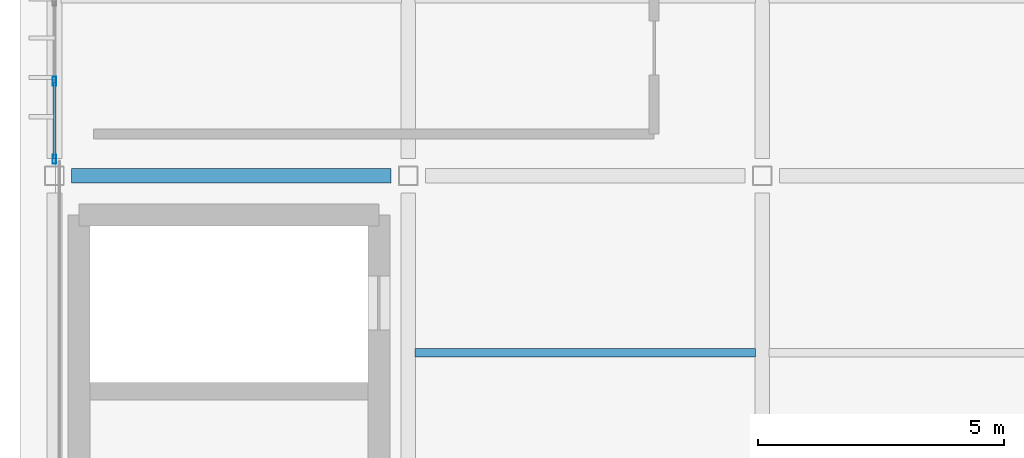
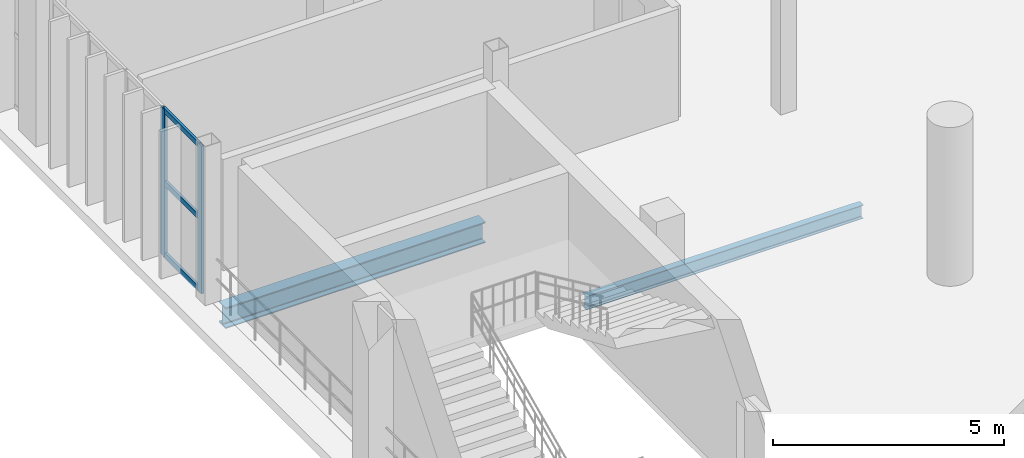
# One storey, part 52 of 130: 5 members, 2 beams, 1 element without a shape of its own.
"""IFC4 building model written with IfcOpenShell, lengths in metres."""

from ifc_helpers import new_model, si_unit, direction, frame, origin, origin_2d, place, context, subcontext, project, spatial, hollow_rectangle, i_section, extrude, material, material_profile, profile_set, type_object, element, aggregate, save


model = new_model("IFC4")

# Units and contexts
model_context = context("Model", 3, precision=1e-05, world=origin(), true_north=direction((0.0, 1.0)))
body_context = subcontext(model_context, "Body", "Model", "MODEL_VIEW")
ifc_project = project(units=[si_unit("LENGTHUNIT", "METRE"), si_unit("AREAUNIT", "SQUARE_METRE"), si_unit("VOLUMEUNIT", "CUBIC_METRE"), si_unit("PLANEANGLEUNIT", "RADIAN"), si_unit("MASSUNIT", "GRAM", prefix="KILO")], contexts=[model_context])

# Site, building, storey
site_placement = place(None, origin())
site = spatial("IfcSite", under=ifc_project, at=site_placement, CompositionType="ELEMENT")
building_placement = place(site_placement, origin())
building = spatial("IfcBuilding", under=site, at=building_placement, Name="Qandorah Velis Arena", CompositionType="ELEMENT")
storey_placement = place(building_placement, frame((0.0, 0.0, 9.60009765625)))
storey = spatial("IfcBuildingStorey", under=building, at=storey_placement, Name="L02", CompositionType="ELEMENT", Elevation=9.60009765625)

# Curtain wall, members
ifc_material_1 = material(Name="Solar-control low-E double glazing", Category="glass")
curtain_wall_type = type_object("IfcCurtainWallType", Name="ARC-CW-SYS18", PredefinedType="USERDEFINED", material=ifc_material_1)
curtain_wall_placement = place(storey_placement, origin())
curtain_wall = element("IfcCurtainWall", 1, at=curtain_wall_placement, inside=storey, type_object=curtain_wall_type, Name="Unitised curtain wall L02-018", ObjectType="UNITISED CURTAIN WALL", PredefinedType="USERDEFINED")
ifc_material_2 = material(Name="Champagne-bronze anodized aluminium 6063-T6", Category="aluminium")
ifc_material_profile_1 = material_profile(ifc_material_2, hollow_rectangle(XDim=0.06494140625, YDim=0.179931640625, WallThickness=0.00341796875, at=origin_2d()), Name="ALU MULLION 65x180")
ifc_profile_set_1 = profile_set([ifc_material_profile_1], Name="Champagne-bronze anodized aluminium 6063-T6")
member_type_1 = type_object("IfcMemberType", Name="ARC-CWM-180", PredefinedType="MULLION", material=ifc_profile_set_1)
member_1_placement = place(storey_placement, frame((0.0, 93.9326171875, -0.01513671875), z_axis=(0.0, 0.0, 1.0), x_axis=(-1.0, 0.0, 0.0)))
member_1 = element("IfcMember", 2, at=member_1_placement, type_object=member_type_1, Name="CW18 mullion 1", PredefinedType="MULLION", context=body_context, shape_type="SweptSolid", body=[
    extrude(hollow_rectangle(XDim=0.06494140625, YDim=0.179931640625, WallThickness=0.00341796875, at=origin_2d()), origin(), (0.0, 0.0, 1.0), 3.91015625),
])
member_2_placement = place(storey_placement, frame((0.0, 95.52490234375, -0.01513671875), z_axis=(0.0, 0.0, 1.0), x_axis=(-1.0, 0.0, 0.0)))
member_2 = element("IfcMember", 3, at=member_2_placement, type_object=member_type_1, Name="CW18 mullion 2", PredefinedType="MULLION", context=body_context, shape_type="SweptSolid", body=[
    extrude(hollow_rectangle(XDim=0.06494140625, YDim=0.179931640625, WallThickness=0.00341796875, at=origin_2d()), origin(), (0.0, 0.0, 1.0), 3.91015625),
])
ifc_material_profile_2 = material_profile(ifc_material_2, hollow_rectangle(XDim=0.06494140625, YDim=0.139892578125, WallThickness=0.0029296875, at=origin_2d()), Name="ALU TRANSOM 65x140")
ifc_profile_set_2 = profile_set([ifc_material_profile_2], Name="Champagne-bronze anodized aluminium 6063-T6")
member_type_2 = type_object("IfcMemberType", Name="ARC-CWT-140", PredefinedType="USERDEFINED", material=ifc_profile_set_2)
member_3_placement = place(storey_placement, frame((0.0, 93.952880859375, 0.032470703125), z_axis=(0.0, 1.0, 0.0), x_axis=(-1.0, 0.0, 0.0)))
member_3 = element("IfcMember", 4, at=member_3_placement, type_object=member_type_2, Name="CW18 transom 1.1", ObjectType="TRANSOM", PredefinedType="USERDEFINED", context=body_context, shape_type="SweptSolid", body=[
    extrude(hollow_rectangle(XDim=0.06494140625, YDim=0.139892578125, WallThickness=0.0029296875, at=origin_2d()), origin(), (0.0, 0.0, 1.0), 1.551513671875),
])
member_4_placement = place(storey_placement, frame((0.0, 93.952880859375, 1.93994140625), z_axis=(0.0, 1.0, 0.0), x_axis=(-1.0, 0.0, 0.0)))
member_4 = element("IfcMember", 5, at=member_4_placement, type_object=member_type_2, Name="CW18 transom 1.2", ObjectType="TRANSOM", PredefinedType="USERDEFINED", context=body_context, shape_type="SweptSolid", body=[
    extrude(hollow_rectangle(XDim=0.06494140625, YDim=0.139892578125, WallThickness=0.0029296875, at=origin_2d()), origin(), (0.0, 0.0, 1.0), 1.551513671875),
])
member_5_placement = place(storey_placement, frame((0.0, 93.952880859375, 3.847412109375), z_axis=(0.0, 1.0, 0.0), x_axis=(-1.0, 0.0, 0.0)))
member_5 = element("IfcMember", 6, at=member_5_placement, type_object=member_type_2, Name="CW18 transom 1.3", ObjectType="TRANSOM", PredefinedType="USERDEFINED", context=body_context, shape_type="SweptSolid", body=[
    extrude(hollow_rectangle(XDim=0.06494140625, YDim=0.139892578125, WallThickness=0.0029296875, at=origin_2d()), origin(), (0.0, 0.0, 1.0), 1.551513671875),
])
aggregate(curtain_wall, [member_1, member_2, member_3, member_4, member_5])

# Beams
ifc_material_3 = material(Name="Steel S355", Category="steel")
ifc_material_profile_3 = material_profile(ifc_material_3, i_section(OverallWidth=0.300048828125, OverallDepth=0.550048828125, WebThickness=0.014892578125, FlangeThickness=0.029052734375, FilletRadius=0.027099609375, at=origin_2d()), Name="HEB 550")
ifc_profile_set_3 = profile_set([ifc_material_profile_3], Name="Steel S355")
beam_type_1 = type_object("IfcBeamType", Name="STR-BM-HEB550", PredefinedType="BEAM", material=ifc_profile_set_3)
beam_1_placement = place(storey_placement, frame((0.35009765625, 93.60009765625, -0.55517578125), z_axis=(1.0, 0.0, 0.0), x_axis=(0.0, 1.0, 0.0)))
element("IfcBeam", 7, at=beam_1_placement, inside=storey, type_object=beam_type_1, Name="Primary floor girder L02 X-117", PredefinedType="BEAM", context=body_context, shape_type="SweptSolid", body=[
    extrude(i_section(OverallWidth=0.300048828125, OverallDepth=0.550048828125, WebThickness=0.014892578125, FlangeThickness=0.029052734375, FilletRadius=0.027099609375, at=origin_2d()), origin(), (0.0, 0.0, 1.0), 6.5),
])
ifc_material_profile_4 = material_profile(ifc_material_3, i_section(OverallWidth=0.169921875, OverallDepth=0.360107421875, WebThickness=0.008056640625, FlangeThickness=0.0126953125, FilletRadius=0.01806640625, at=origin_2d()), Name="IPE 360")
ifc_profile_set_4 = profile_set([ifc_material_profile_4], Name="Steel S355")
beam_type_2 = type_object("IfcBeamType", Name="STR-JST-IPE360", PredefinedType="JOIST", material=ifc_profile_set_4)
beam_2_placement = place(storey_placement, frame((7.3349609375, 90.0, -0.460205078125), z_axis=(1.0, 0.0, 0.0), x_axis=(0.0, 1.0, 0.0)))
element("IfcBeam", 8, at=beam_2_placement, inside=storey, type_object=beam_type_2, Name="Secondary floor joist L02-021", PredefinedType="JOIST", context=body_context, shape_type="SweptSolid", body=[
    extrude(i_section(OverallWidth=0.169921875, OverallDepth=0.360107421875, WebThickness=0.008056640625, FlangeThickness=0.0126953125, FilletRadius=0.01806640625, at=origin_2d()), origin(), (0.0, 0.0, 1.0), 6.929931640625),
])

save(model, "model.ifc")
